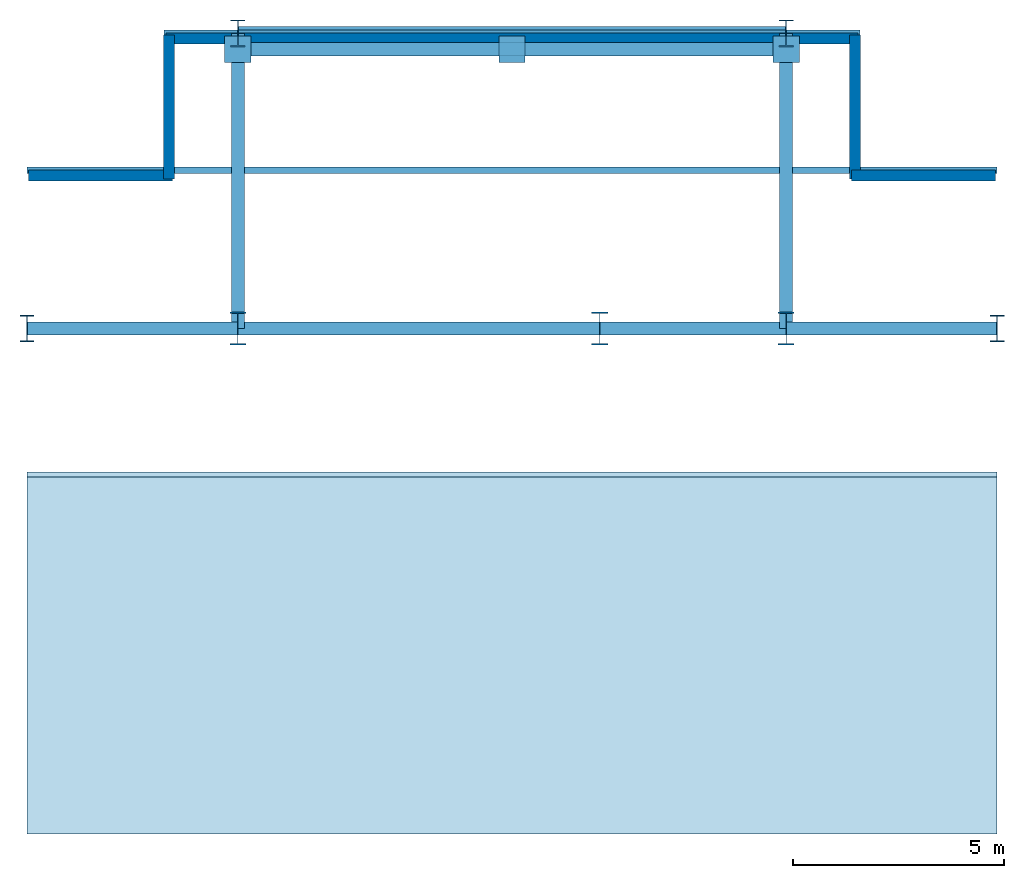
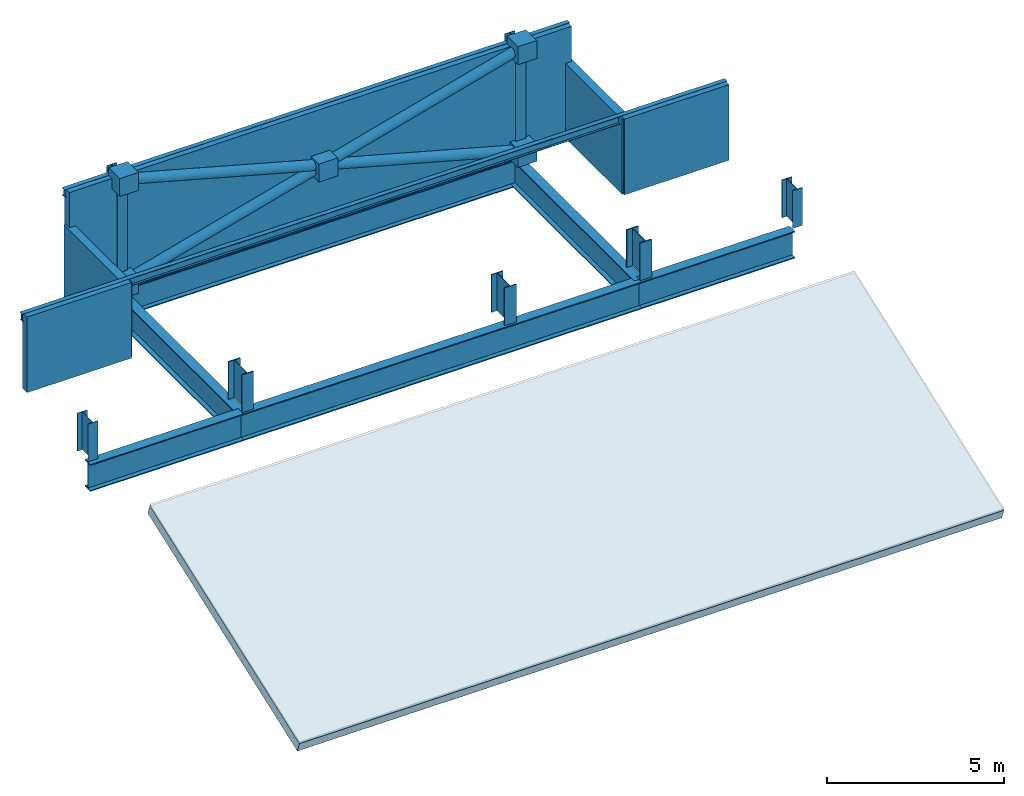
# One storey, part 1 of 2: 7 columns, 6 beams, 5 members, 5 plates, 5 walls, 1 slab.
"""IFC4 building model written with IfcOpenShell, lengths in metres."""

from ifc_helpers import new_model, si_unit, direction, frame, frame_2d, origin, origin_2d, place, context, subcontext, project, spatial, polyline, rectangle, hollow_circle, i_section, outline, extrude, material, layer, layer_set, material_profile, profile_set, type_object, element, save


model = new_model("IFC4")

# Units and contexts
model_context = context("Model", 3, precision=1e-05, world=origin(), true_north=direction((0.0, 1.0)))
body_context = subcontext(model_context, "Body", "Model", "MODEL_VIEW")
ifc_project = project(units=[si_unit("LENGTHUNIT", "METRE"), si_unit("AREAUNIT", "SQUARE_METRE"), si_unit("VOLUMEUNIT", "CUBIC_METRE"), si_unit("PLANEANGLEUNIT", "RADIAN"), si_unit("MASSUNIT", "GRAM", prefix="KILO")], contexts=[model_context])

# Site, building, storey
site_placement = place(None, origin())
site = spatial("IfcSite", under=ifc_project, at=site_placement, CompositionType="ELEMENT")
building_placement = place(site_placement, origin())
building = spatial("IfcBuilding", under=site, at=building_placement, Name="Barlavira Tower and Art Museum", CompositionType="ELEMENT")
storey_placement = place(building_placement, frame((0.0, 0.0, 327.89990234375)))
storey = spatial("IfcBuildingStorey", under=building, at=storey_placement, Name="L85", CompositionType="ELEMENT", Elevation=327.89990234375)

# Columns
ifc_material_1 = material(Name="Steel S355", Category="steel")
ifc_material_profile_1 = material_profile(ifc_material_1, i_section(OverallWidth=0.382080078125, OverallDepth=0.785888671875, WebThickness=0.02001953125, FlangeThickness=0.032958984375, at=origin_2d()), Name="W760x314.0")
ifc_profile_set_1 = profile_set([ifc_material_profile_1], Name="Steel S355")
column_type_1 = type_object("IfcColumnType", Name="Core Composite Column W760x314 Steel S355", PredefinedType="COLUMN", material=ifc_profile_set_1)
for number, where, z_axis, x_axis, name in (
    (1, (-6.5, 7.5, 0.0), (0.0, 0.0, 1.0), (1.0, 0.0, 0.0), "L85 Column CC-L85-C6"),
    (2, (2.080078125, 7.5, 0.0), (0.0, 0.0, 1.0), (1.0, 0.0, 0.0), "L85 Column CC-L85-C7"),
    (3, (6.5, 7.5, 0.0), (0.0, 0.0, 1.0), (1.0, 0.0, 0.0), "L85 Column CC-L85-C8"),
):
    element("IfcColumn", number, at=place(storey_placement, frame(where, z_axis=z_axis, x_axis=x_axis)), inside=storey, type_object=column_type_1, Name=name, PredefinedType="COLUMN", context=body_context, shape_type="SweptSolid", body=[
        extrude(i_section(OverallWidth=0.382080078125, OverallDepth=0.785888671875, WebThickness=0.02001953125, FlangeThickness=0.032958984375, at=origin_2d()), origin(), (0.0, 0.0, 1.0), 1.30224609375),
    ])
ifc_material_profile_2 = material_profile(ifc_material_1, i_section(OverallWidth=0.327880859375, OverallDepth=0.62890625, WebThickness=0.013916015625, FlangeThickness=0.021484375, at=origin_2d()), Name="W610x174.0")
ifc_profile_set_2 = profile_set([ifc_material_profile_2], Name="Steel S355")
column_type_2 = type_object("IfcColumnType", Name="Crown Frame Column W610x174 Steel S355", PredefinedType="COLUMN", material=ifc_profile_set_2)
for number, where, z_axis, x_axis, name in (
    (4, (-11.5, 7.5, 0.0), (0.0, 0.0, 1.0), (1.0, 0.0, 0.0), "L85 Column CCR-L85-CRA"),
    (5, (11.5, 7.5, 0.0), (0.0, 0.0, 1.0), (1.0, 0.0, 0.0), "L85 Column CCR-L85-CRB"),
):
    element("IfcColumn", number, at=place(storey_placement, frame(where, z_axis=z_axis, x_axis=x_axis)), inside=storey, type_object=column_type_2, Name=name, PredefinedType="COLUMN", context=body_context, shape_type="SweptSolid", body=[
        extrude(i_section(OverallWidth=0.327880859375, OverallDepth=0.62890625, WebThickness=0.013916015625, FlangeThickness=0.021484375, at=origin_2d()), origin(), (0.0, 0.0, 1.0), 1.30224609375),
    ])
for number, where, z_axis, x_axis, name in (
    (6, (-6.5, 14.5, 0.0), (0.0, 0.0, 1.0), (1.0, 0.0, 0.0), "L85 Column CCR-L85-CRE"),
    (7, (6.5, 14.5, 0.0), (0.0, 0.0, 1.0), (1.0, 0.0, 0.0), "L85 Column CCR-L85-CRG"),
):
    element("IfcColumn", number, at=place(storey_placement, frame(where, z_axis=z_axis, x_axis=x_axis)), inside=storey, type_object=column_type_2, Name=name, PredefinedType="COLUMN", context=body_context, shape_type="SweptSolid", body=[
        extrude(i_section(OverallWidth=0.327880859375, OverallDepth=0.62890625, WebThickness=0.013916015625, FlangeThickness=0.021484375, at=origin_2d()), origin(), (0.0, 0.0, 1.0), 3.85009765625),
    ])

# Members
ifc_material_profile_3 = material_profile(ifc_material_1, hollow_circle(Radius=0.161865234375, WallThickness=0.01611328125, at=origin_2d()), Name="CHS 323.9x16.0")
ifc_profile_set_3 = profile_set([ifc_material_profile_3], Name="Steel S355")
member_type_1 = type_object("IfcMemberType", Name="Pale-Metal Crown Diagrid Tube CHS 324x16 Steel S355", PredefinedType="BRACE", material=ifc_profile_set_3)
member_1_placement = place(storey_placement, frame((-6.5, 14.1201171875, 0.2001953125), z_axis=(0.964681830902, 0.0, 0.263417852714), x_axis=(0.0, 1.0, 0.0)))
element("IfcMember", 8, at=member_1_placement, inside=storey, type_object=member_type_1, Name="L85 Chisel Crown Diagonal Brace 7", PredefinedType="BRACE", context=body_context, shape_type="SweptSolid", body=[
    extrude(hollow_circle(Radius=0.161865234375, WallThickness=0.01611328125, at=origin_2d()), origin(), (0.0, 0.0, 1.0), 13.475830078125),
])
for number, where, z_axis, x_axis, name in (
    (9, (6.5, 14.1201171875, 0.2001953125), (-0.964681830902, 0.0, 0.263417852714), (0.0, -1.0, 0.0), "L85 Chisel Crown Diagonal Brace 8"),
    (10, (0.0, 14.1201171875, 1.97509765625), (-0.964681830902, 0.0, 0.263417852714), (0.0, -1.0, 0.0), "L85 Chisel Crown Diagonal Brace 9"),
):
    element("IfcMember", number, at=place(storey_placement, frame(where, z_axis=z_axis, x_axis=x_axis)), inside=storey, type_object=member_type_1, Name=name, PredefinedType="BRACE", context=body_context, shape_type="SweptSolid", body=[
        extrude(hollow_circle(Radius=0.161865234375, WallThickness=0.01611328125, at=origin_2d()), origin(), (0.0, 0.0, 1.0), 6.738037109375),
    ])

# Beams
ifc_material_profile_4 = material_profile(ifc_material_1, i_section(OverallWidth=0.30908203125, OverallDepth=0.931884765625, WebThickness=0.01953125, FlangeThickness=0.034423828125, at=origin_2d()), Name="W920x313.0")
ifc_profile_set_4 = profile_set([ifc_material_profile_4], Name="Steel S355")
beam_type = type_object("IfcBeamType", Name="Setback Ring Girder W920x313 Steel S355", PredefinedType="BEAM", material=ifc_profile_set_4)
beam_1_placement = place(storey_placement, frame((-6.5, 14.5, -0.7158203125), z_axis=(1.0, 0.0, 0.0), x_axis=(0.0, 1.0, 0.0)))
element("IfcBeam", 11, at=beam_1_placement, inside=storey, type_object=beam_type, Name="L85 Crown Ring Beam CN", PredefinedType="BEAM", context=body_context, shape_type="SweptSolid", body=[
    extrude(i_section(OverallWidth=0.30908203125, OverallDepth=0.931884765625, WebThickness=0.01953125, FlangeThickness=0.034423828125, at=origin_2d()), origin(), (0.0, 0.0, 1.0), 13.0),
])
for number, where, z_axis, x_axis, name in (
    (12, (-6.5, 7.5, -0.7158203125), (0.0, 1.0, 0.0), (-1.0, 0.0, 0.0), "L85 Crown Ring Beam CNL"),
    (13, (6.5, 7.5, -0.7158203125), (0.0, 1.0, 0.0), (-1.0, 0.0, 0.0), "L85 Crown Ring Beam CNR"),
):
    element("IfcBeam", number, at=place(storey_placement, frame(where, z_axis=z_axis, x_axis=x_axis)), inside=storey, type_object=beam_type, Name=name, PredefinedType="BEAM", context=body_context, shape_type="SweptSolid", body=[
        extrude(i_section(OverallWidth=0.30908203125, OverallDepth=0.931884765625, WebThickness=0.01953125, FlangeThickness=0.034423828125, at=origin_2d()), origin(), (0.0, 0.0, 1.0), 7.0),
    ])
for number, where, z_axis, x_axis, name in (
    (14, (-11.5, 7.5, -0.7158203125), (1.0, 0.0, 0.0), (0.0, 1.0, 0.0), "L85 Crown Ring Beam CWR"),
    (15, (6.5, 7.5, -0.7158203125), (1.0, 0.0, 0.0), (0.0, 1.0, 0.0), "L85 Crown Ring Beam CER"),
):
    element("IfcBeam", number, at=place(storey_placement, frame(where, z_axis=z_axis, x_axis=x_axis)), inside=storey, type_object=beam_type, Name=name, PredefinedType="BEAM", context=body_context, shape_type="SweptSolid", body=[
        extrude(i_section(OverallWidth=0.30908203125, OverallDepth=0.931884765625, WebThickness=0.01953125, FlangeThickness=0.034423828125, at=origin_2d()), origin(), (0.0, 0.0, 1.0), 5.0),
    ])
beam_2_placement = place(storey_placement, frame((-6.5, 7.5, -0.7158203125), z_axis=(1.0, 0.0, 0.0), x_axis=(0.0, 1.0, 0.0)))
element("IfcBeam", 16, at=beam_2_placement, inside=storey, type_object=beam_type, Name="L85 Crown Ring Beam CI2", PredefinedType="BEAM", context=body_context, shape_type="SweptSolid", body=[
    extrude(i_section(OverallWidth=0.30908203125, OverallDepth=0.931884765625, WebThickness=0.01953125, FlangeThickness=0.034423828125, at=origin_2d()), origin(), (0.0, 0.0, 1.0), 13.0),
])

# Members
ifc_material_profile_5 = material_profile(ifc_material_1, i_section(OverallWidth=0.14794921875, OverallDepth=0.26611328125, WebThickness=0.007568359375, FlangeThickness=0.012939453125, at=origin_2d()), Name="W250x44.8")
ifc_profile_set_5 = profile_set([ifc_material_profile_5], Name="Steel S355")
member_type_2 = type_object("IfcMemberType", Name="Sloped Chisel Roof Purlin W250x44.8 Steel S355", PredefinedType="PURLIN", material=ifc_profile_set_5)
member_2_placement = place(storey_placement, frame((-11.5, 11.25, 2.483154296875), z_axis=(1.0, 0.0, 0.0), x_axis=(0.0, 1.0, 0.0)))
element("IfcMember", 17, at=member_2_placement, inside=storey, type_object=member_type_2, Name="Chisel Roof Purlin 4", PredefinedType="PURLIN", context=body_context, shape_type="SweptSolid", body=[
    extrude(i_section(OverallWidth=0.14794921875, OverallDepth=0.26611328125, WebThickness=0.007568359375, FlangeThickness=0.012939453125, at=origin_2d()), origin(), (0.0, 0.0, 1.0), 23.0),
])
member_3_placement = place(storey_placement, frame((-8.25, 14.5, 3.666015625), z_axis=(1.0, 0.0, 0.0), x_axis=(0.0, 1.0, 0.0)))
element("IfcMember", 18, at=member_3_placement, inside=storey, type_object=member_type_2, Name="Chisel Roof Purlin 5", PredefinedType="PURLIN", context=body_context, shape_type="SweptSolid", body=[
    extrude(i_section(OverallWidth=0.14794921875, OverallDepth=0.26611328125, WebThickness=0.007568359375, FlangeThickness=0.012939453125, at=origin_2d()), origin(), (0.0, 0.0, 1.0), 16.5),
])

# Slab
ifc_material_2 = material(Name="Precast concrete C50", Category="concrete")
ifc_layer_1 = layer(ifc_material_2, 0.35009765625, Name="Precast concrete C50")
ifc_layer_set_1 = layer_set([ifc_layer_1], Name="Precast concrete C50")
slab_type = type_object("IfcSlabType", Name="Chisel Crown Sloped Roof Slab 350 Precast Concrete C50", PredefinedType="ROOF", material=ifc_layer_set_1)
slab_placement = place(storey_placement, frame((-11.5, -4.47998046875, -2.7080078125), z_axis=(0.0, -0.342013041986, 0.939695205432), x_axis=(1.0, 0.0, 0.0)))
element("IfcSlab", 19, at=slab_placement, inside=storey, type_object=slab_type, Name="L85 Mid-Crown Sloped Chisel Roof Slab", PredefinedType="ROOF", context=body_context, shape_type="SweptSolid", body=[
    extrude(outline(polyline([(0.0, 0.0), (23.0, 0.0), (23.0, 9.0028776230834), (0.0, 9.0028776230834), (0.0, 0.0)])), origin(), (0.0, 0.0, -1.0), 0.35009765625),
])

# Plates
ifc_layer_2 = layer(ifc_material_1, 0.6201171875, Name="Steel S355")
ifc_layer_set_2 = layer_set([ifc_layer_2], Name="Steel S355")
plate_type = type_object("IfcPlateType", Name="Crown Canopy Solid Steel Node Cap Plate Assembly Type 6 Steel S355", PredefinedType="USERDEFINED", material=ifc_layer_set_2)
for number, where, z_axis, x_axis, name in (
    (20, (-6.5, 14.1201171875, -0.10986328125), (0.0, 0.0, 1.0), (1.0, 0.0, 0.0), "L85 Crown X-Brace Node ND-L85-0939"),
    (21, (6.5, 14.1201171875, -0.10986328125), (0.0, 0.0, 1.0), (1.0, 0.0, 0.0), "L85 Crown X-Brace Node ND-L85-0940"),
    (22, (-6.5, 14.1201171875, 3.43994140625), (0.0, 0.0, 1.0), (1.0, 0.0, 0.0), "L85 Crown X-Brace Node ND-L85-0941"),
    (23, (6.5, 14.1201171875, 3.43994140625), (0.0, 0.0, 1.0), (1.0, 0.0, 0.0), "L85 Crown X-Brace Node ND-L85-0942"),
    (24, (0.0, 14.1201171875, 1.6650390625), (0.0, 0.0, 1.0), (1.0, 0.0, 0.0), "L85 Crown X-Brace Node ND-L85-0943"),
):
    element("IfcPlate", number, at=place(storey_placement, frame(where, z_axis=z_axis, x_axis=x_axis)), inside=storey, type_object=plate_type, Name=name, ObjectType="FLANGE_PLATE", PredefinedType="USERDEFINED", context=body_context, shape_type="SweptSolid", body=[
        extrude(rectangle(XDim=0.6201171875, YDim=0.6201171875, at=origin_2d()), origin(), (0.0, 0.0, 1.0), 0.6201171875),
    ])

# Walls
ifc_material_3 = material(Name="Architectural white precast concrete C40", Category="concrete")
ifc_layer_3 = layer(ifc_material_3, 0.260009765625, Name="Architectural white precast concrete C40")
ifc_layer_set_3 = layer_set([ifc_layer_3], Name="Architectural white precast concrete C40")
wall_type = type_object("IfcWallType", Name="Crown Architectural White Precast Wall 260 Concrete C40", PredefinedType="SOLIDWALL", material=ifc_layer_set_3)
wall_1_placement = place(storey_placement, frame((8.199951171875, 14.3798828125, 0.0), z_axis=(0.0, 0.0, 1.0), x_axis=(-1.0, 0.0, 0.0)))
element("IfcWall", 25, at=wall_1_placement, inside=storey, type_object=wall_type, Name="L85 Chisel Tall-North White Precast Wall", PredefinedType="SOLIDWALL", context=body_context, shape_type="SweptSolid", body=[
    extrude(rectangle(XDim=16.39990234375, YDim=0.260009765625, at=frame_2d((8.199951171875, 0.0))), origin(), (0.0, 0.0, 1.0), 3.79638671875),
])
wall_2_placement = place(storey_placement, frame((11.4599609375, 11.1298828125, 0.0), z_axis=(0.0, 0.0, 1.0), x_axis=(-1.0, 0.0, 0.0)))
element("IfcWall", 26, at=wall_2_placement, inside=storey, type_object=wall_type, Name="L85 Crown Notch White Precast Wall NE1", PredefinedType="SOLIDWALL", context=body_context, shape_type="SweptSolid", body=[
    extrude(rectangle(XDim=3.409912109375, YDim=0.260009765625, at=frame_2d((1.705078125, 0.0))), origin(), (0.0, 0.0, 1.0), 2.613525390625),
])
for number, where, z_axis, x_axis, name in (
    (27, (8.1298828125, 11.050048828125, 0.0), (0.0, 0.0, 1.0), (0.0, 1.0, 0.0), "L85 Crown Notch White Precast Wall NE2"),
    (28, (-8.1298828125, 14.4599609375, 0.0), (0.0, 0.0, 1.0), (0.0, -1.0, 0.0), "L85 Crown Notch White Precast Wall NW1"),
):
    element("IfcWall", number, at=place(storey_placement, frame(where, z_axis=z_axis, x_axis=x_axis)), inside=storey, type_object=wall_type, Name=name, PredefinedType="SOLIDWALL", context=body_context, shape_type="SweptSolid", body=[
        extrude(rectangle(XDim=3.409912109375, YDim=0.260009765625, at=frame_2d((1.705078125, 0.0))), origin(), (0.0, 0.0, 1.0), 2.58447265625),
    ])
wall_3_placement = place(storey_placement, frame((-8.050048828125, 11.1298828125, 0.0), z_axis=(0.0, 0.0, 1.0), x_axis=(-1.0, 0.0, 0.0)))
element("IfcWall", 29, at=wall_3_placement, inside=storey, type_object=wall_type, Name="L85 Crown Notch White Precast Wall NW2", PredefinedType="SOLIDWALL", context=body_context, shape_type="SweptSolid", body=[
    extrude(rectangle(XDim=3.409912109375, YDim=0.260009765625, at=frame_2d((1.705078125, 0.0))), origin(), (0.0, 0.0, 1.0), 2.613525390625),
])

save(model, "model.ifc")
